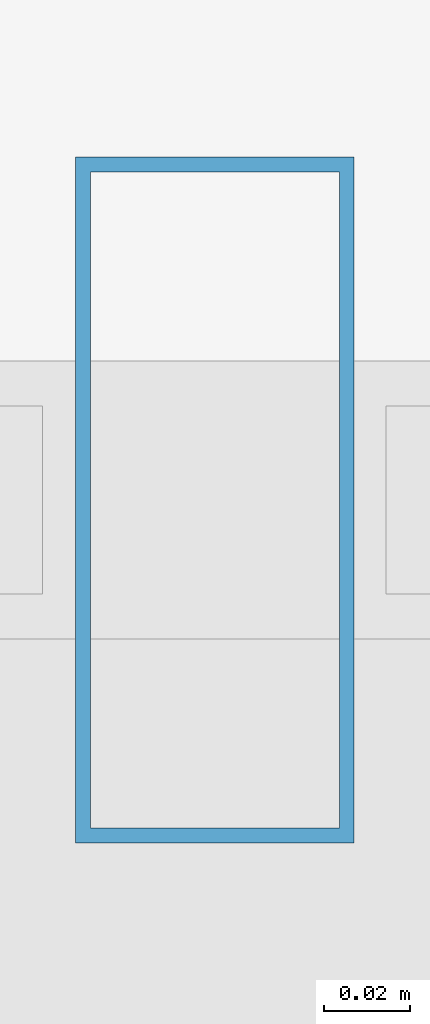
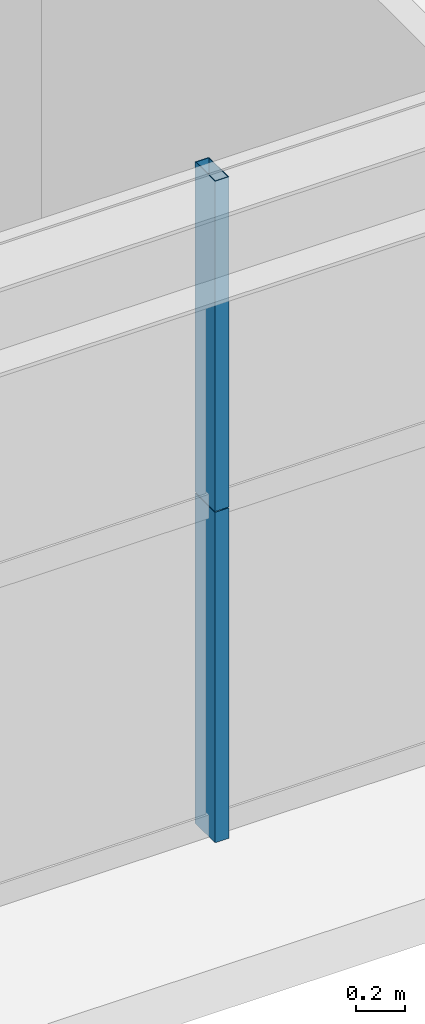
# One storey, part 6 of 45: 2 members, 1 element without a shape of its own.
"""IFC4 building model written with IfcOpenShell, lengths in metres."""

from ifc_helpers import new_model, si_unit, direction, frame, origin, origin_2d, place, context, subcontext, project, spatial, hollow_rectangle, extrude, source, transform, mapped, material, layer, layer_set, material_profile, profile_set, type_object, element, aggregate, save


model = new_model("IFC4")

# Units and contexts
model_context = context("Model", 3, precision=1e-05, world=origin(), true_north=direction((0.0, 1.0)))
body_context = subcontext(model_context, "Body", "Model", "MODEL_VIEW")
ifc_project = project(units=[si_unit("LENGTHUNIT", "METRE"), si_unit("AREAUNIT", "SQUARE_METRE"), si_unit("VOLUMEUNIT", "CUBIC_METRE"), si_unit("PLANEANGLEUNIT", "RADIAN"), si_unit("MASSUNIT", "GRAM", prefix="KILO"), si_unit("THERMODYNAMICTEMPERATUREUNIT", "KELVIN"), si_unit("POWERUNIT", "WATT")], contexts=[model_context])

# Site, building, storey
site_placement = place(None, origin())
site = spatial("IfcSite", under=ifc_project, at=site_placement, CompositionType="ELEMENT")
building_placement = place(site_placement, origin())
building = spatial("IfcBuilding", under=site, at=building_placement, Name="Yuzanri Waterfront Tower", CompositionType="ELEMENT")
storey_placement = place(building_placement, frame((0.0, 0.0, 212.5)))
storey = spatial("IfcBuildingStorey", under=building, at=storey_placement, Name="L56", CompositionType="ELEMENT", Elevation=212.5)

# Curtain wall, members
ifc_material_1 = material(Name="Anodized Architectural Bronze", Category="metal")
ifc_layer = layer(ifc_material_1, 0.159912109375)
ifc_layer_set = layer_set([ifc_layer], Name="Anodized Architectural Bronze")
curtain_wall_type = type_object("IfcCurtainWallType", Name="Anodized Bronze Mid-Rise Residential Acoustic Unitized Curtain Wall 7200", PredefinedType="NOTDEFINED", material=ifc_layer_set)
curtain_wall_placement = place(storey_placement, origin())
curtain_wall = element("IfcCurtainWall", 1, at=curtain_wall_placement, inside=storey, type_object=curtain_wall_type, Name="L56 Curtain Wall CW-L56-SL", PredefinedType="NOTDEFINED")
ifc_material_2 = material(Name="Anodized Architectural Bronze", Category="metal")
ifc_material_profile = material_profile(ifc_material_2, hollow_rectangle(XDim=0.06494140625, YDim=0.159912109375, WallThickness=0.00341796875, at=origin_2d()), Name="CWM 65x160")
ifc_profile_set = profile_set([ifc_material_profile], Name="Anodized Architectural Bronze")
member_type = type_object("IfcMemberType", Name="Anodized Bronze Upper-Zone Curtain-Wall Mullion 65x160", PredefinedType="MULLION", material=ifc_profile_set)
shared_shape = source(origin(), body_context, "Body", "SweptSolid", [
    extrude(hollow_rectangle(XDim=0.06494140625, YDim=0.159912109375, WallThickness=0.00341796875, at=origin_2d()), origin(), (0.0, 0.0, 1.0), 1.637939453125),
])
member_1_placement = place(storey_placement, frame((29.425048828125, 3.85009765625, 0.0), z_axis=(0.0, 0.0, 1.0), x_axis=(1.0, 0.0, 0.0)))
member_1 = element("IfcMember", 2, at=member_1_placement, type_object=member_type, Name="CW-L56-SL Lower Mullion 01", PredefinedType="MULLION", context=body_context, shape_type="MappedRepresentation", body=[
    mapped(shared_shape, transform((0.0, 0.0, 0.0), scale=1.0)),
])
member_2_placement = place(storey_placement, frame((29.425048828125, 3.85009765625, 1.64208984375), z_axis=(0.0, 0.0, 1.0), x_axis=(1.0, 0.0, 0.0)))
member_2 = element("IfcMember", 3, at=member_2_placement, type_object=member_type, Name="CW-L56-SL Upper Mullion 01", PredefinedType="MULLION", context=body_context, shape_type="MappedRepresentation", body=[
    mapped(shared_shape, transform((0.0, 0.0, 0.0), scale=1.0)),
])
aggregate(curtain_wall, [member_1, member_2])

save(model, "model.ifc")
